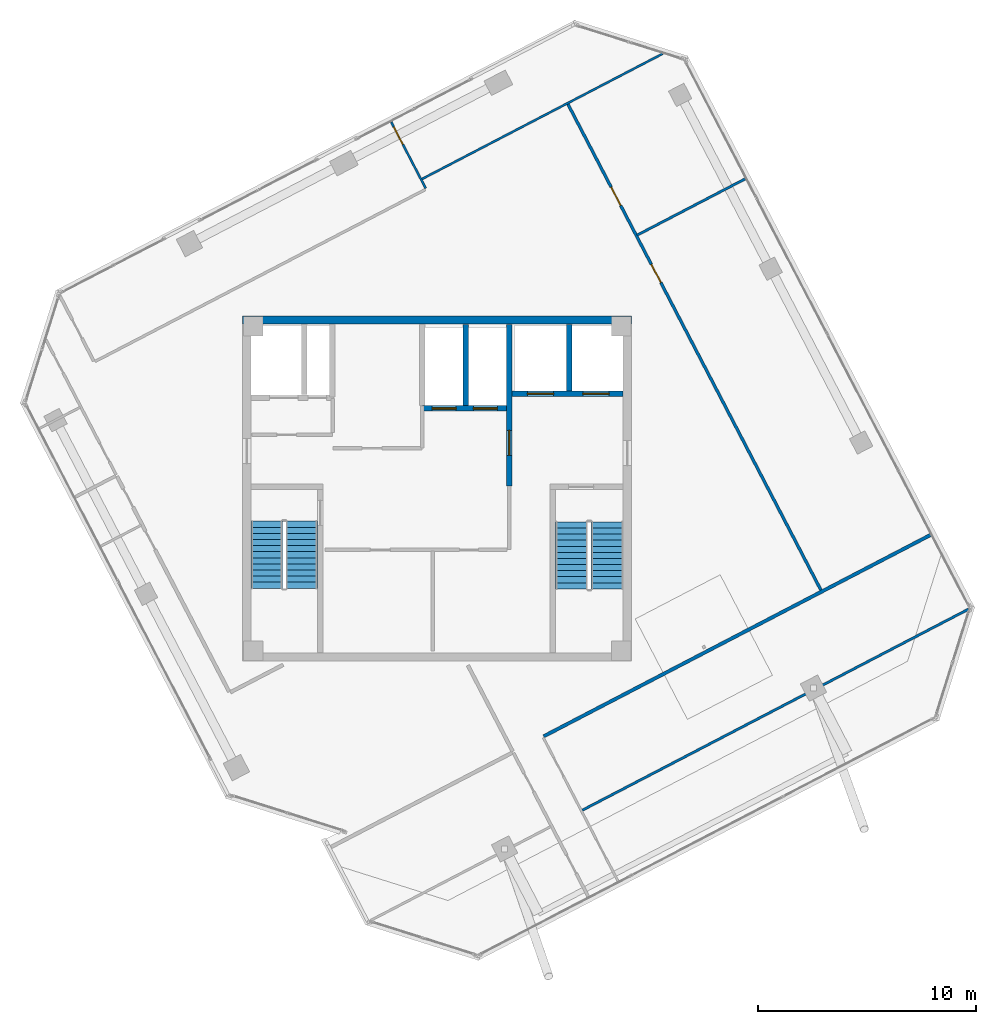
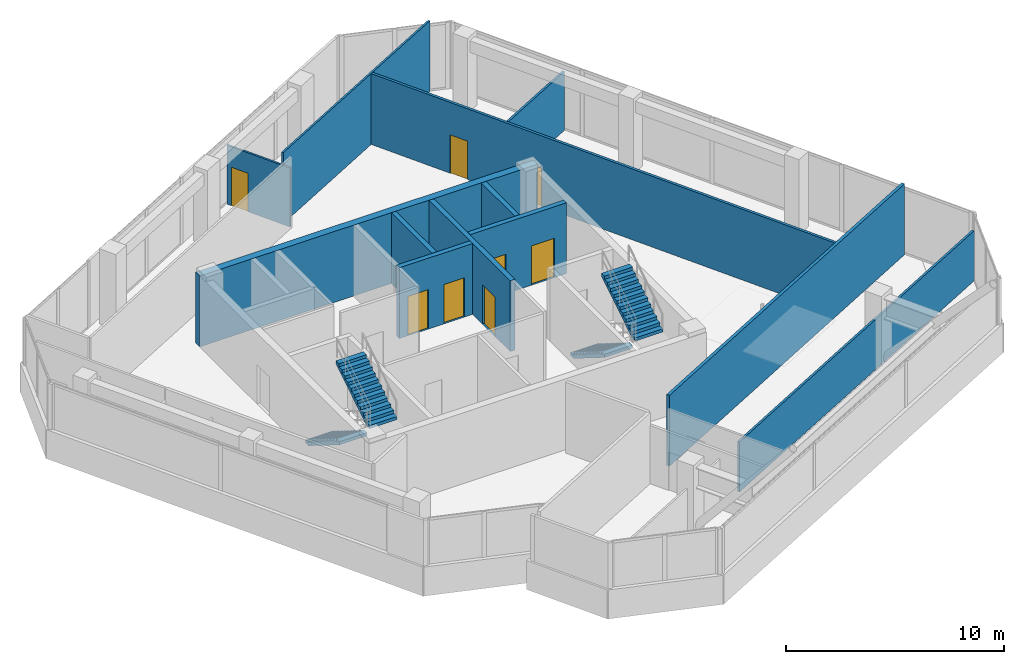
# One storey, part 13 of 17: 12 walls, 8 doors, 4 stair flights, 8 openings, 2 elements without a shape of their own.
"""IFC4 building model written with IfcOpenShell, lengths in metres."""

from ifc_helpers import new_model, si_unit, direction, frame, frame_2d, origin, place, context, subcontext, project, spatial, polyline, rectangle, outline, extrude, source, transform, mapped, material, layer, layer_set, type_object, element, fill, aggregate, save


model = new_model("IFC4")

# Units and contexts
model_context = context("Model", 3, precision=1e-05, world=origin(), true_north=direction((0.0, 1.0)))
body_context = subcontext(model_context, "Body", "Model", "MODEL_VIEW")
ifc_project = project(units=[si_unit("LENGTHUNIT", "METRE"), si_unit("AREAUNIT", "SQUARE_METRE"), si_unit("VOLUMEUNIT", "CUBIC_METRE"), si_unit("PLANEANGLEUNIT", "RADIAN"), si_unit("MASSUNIT", "GRAM", prefix="KILO")], contexts=[model_context])

# Site, building, storey
site_placement = place(None, origin())
site = spatial("IfcSite", under=ifc_project, at=site_placement, CompositionType="ELEMENT")
building_placement = place(site_placement, origin())
building = spatial("IfcBuilding", under=site, at=building_placement, Name="Torre Montelarca", CompositionType="ELEMENT")
storey_placement = place(building_placement, frame((0.0, 0.0, 332.39990234375)))
storey = spatial("IfcBuildingStorey", under=building, at=storey_placement, Name="L75", CompositionType="ELEMENT", Elevation=332.39990234375)

# Wall, opening, door
ifc_material_1 = material(Name="Concrete C40/50", Category="concrete")
ifc_layer_1 = layer(ifc_material_1, 0.25, Name="Concrete C40/50", Category="concrete")
ifc_layer_set_1 = layer_set([ifc_layer_1], Name="Concrete C40/50")
wall_type_1 = type_object("IfcWallType", Name="CW-SHAFT-250", PredefinedType="SHEAR", material=ifc_layer_set_1)
wall_1_placement = place(storey_placement, frame((21.320068359375, 32.1201171875, 0.0), z_axis=(0.0, 0.0, 1.0), x_axis=(0.0, 1.0, 0.0)))
wall_1 = element("IfcWall", 1, at=wall_1_placement, inside=storey, type_object=wall_type_1, Name="L75 Core Shear Wall SH-FFL-W", PredefinedType="SHEAR", context=body_context, shape_type="SweptSolid", body=[
    extrude(rectangle(XDim=7.419921875, YDim=0.25, at=frame_2d((3.7099609375, 0.0))), origin(), (0.0, 0.0, 1.0), 3.960205078125),
])
opening_1_placement = place(wall_1_placement, frame((1.39990234375, 0.0, 0.0)))
opening_1 = element("IfcOpeningElement", 2, at=opening_1_placement, cuts=wall_1, Name="Opening FD-LB1", PredefinedType="OPENING", context=body_context, shape_type="SweptSolid", body=[
    extrude(rectangle(XDim=1.14990234375, YDim=2.199951171875, at=frame_2d((0.574951171875, 1.10009765625))), frame((0.0, 0.135009765625, 0.0), z_axis=(0.0, -1.0, 0.0), x_axis=(1.0, 0.0, 0.0)), (0.0, 0.0, 1.0), 0.27001953125),
])
ifc_material_2 = material(Name="Acoustic timber-veneered fire door", Category="wood")
door_type_1 = type_object("IfcDoorType", Name="DR-LOBBY-115", OperationType="NOTDEFINED", PredefinedType="DOOR", material=ifc_material_2)
shared_shape_1 = source(origin(), body_context, "Body", "SweptSolid", [
    extrude(rectangle(XDim=1.14990234375, YDim=2.199951171875, at=frame_2d((0.574951171875, 1.10009765625))), frame((0.0, 0.02490234375, 0.0), z_axis=(0.0, -1.0, 0.0), x_axis=(1.0, 0.0, 0.0)), (0.0, 0.0, 1.0), 0.050048828125),
])
door_1_placement = place(opening_1_placement, origin())
door_1 = element("IfcDoor", 3, at=door_1_placement, inside=storey, type_object=door_type_1, Name="L75 Lift Lobby to Firefighting Lobby Smoke Door", OperationType="SINGLE_SWING_LEFT", OverallHeight=2.199951171875, OverallWidth=1.14990234375, PredefinedType="DOOR", context=body_context, shape_type="MappedRepresentation", body=[
    mapped(shared_shape_1, transform((0.0, 0.0, 0.0), scale=1.0)),
])
fill(opening_1, door_1)

# Wall, openings, doors
wall_2_placement = place(storey_placement, frame((21.449951171875, 36.35009765625, 0.0), z_axis=(0.0, 0.0, 1.0), x_axis=(1.0, 0.0, 0.0)))
wall_2 = element("IfcWall", 4, at=wall_2_placement, inside=storey, type_object=wall_type_1, Name="L75 Core Shear Wall SH-FF-S", PredefinedType="SHEAR", context=body_context, shape_type="SweptSolid", body=[
    extrude(rectangle(XDim=5.090087890625, YDim=0.25, at=frame_2d((2.544921875, 0.0))), origin(), (0.0, 0.0, 1.0), 3.960205078125),
])
opening_2_placement = place(wall_2_placement, frame((0.699951171875, 0.0, 0.0)))
opening_2 = element("IfcOpeningElement", 5, at=opening_2_placement, cuts=wall_2, Name="Opening LD-120", PredefinedType="OPENING", context=body_context, shape_type="SweptSolid", body=[
    extrude(rectangle(XDim=1.199951171875, YDim=2.199951171875, at=frame_2d((0.60009765625, 1.10009765625))), frame((0.0, 0.135009765625, 0.0), z_axis=(0.0, -1.0, 0.0), x_axis=(1.0, 0.0, 0.0)), (0.0, 0.0, 1.0), 0.27001953125),
])
opening_3_placement = place(wall_2_placement, frame((3.25, 0.0, 0.0)))
opening_3 = element("IfcOpeningElement", 6, at=opening_3_placement, cuts=wall_2, Name="Opening LD-120", PredefinedType="OPENING", context=body_context, shape_type="SweptSolid", body=[
    extrude(rectangle(XDim=1.199951171875, YDim=2.199951171875, at=frame_2d((0.60009765625, 1.10009765625))), frame((0.0, 0.135009765625, 0.0), z_axis=(0.0, -1.0, 0.0), x_axis=(1.0, 0.0, 0.0)), (0.0, 0.0, 1.0), 0.27001953125),
])
ifc_material_3 = material(Name="Brushed stainless steel AISI 316", Category="steel")
door_type_2 = type_object("IfcDoorType", Name="DR-LIFT-120", OperationType="SLIDING_TO_RIGHT", PredefinedType="DOOR", material=ifc_material_3)
shared_shape_2 = source(origin(), body_context, "Body", "SweptSolid", [
    extrude(rectangle(XDim=1.199951171875, YDim=2.199951171875, at=frame_2d((0.60009765625, 1.10009765625))), frame((0.0, 0.02490234375, 0.0), z_axis=(0.0, -1.0, 0.0), x_axis=(1.0, 0.0, 0.0)), (0.0, 0.0, 1.0), 0.050048828125),
])
door_2_placement = place(opening_2_placement, origin())
door_2 = element("IfcDoor", 7, at=door_2_placement, inside=storey, type_object=door_type_2, Name="L75 Lift Landing Sliding Door FF-1", OperationType="SLIDING_TO_LEFT", OverallHeight=2.199951171875, OverallWidth=1.199951171875, PredefinedType="DOOR", context=body_context, shape_type="MappedRepresentation", body=[
    mapped(shared_shape_2, transform((0.0, 0.0, 0.0), scale=1.0)),
])
fill(opening_2, door_2)
door_3_placement = place(opening_3_placement, origin())
door_3 = element("IfcDoor", 8, at=door_3_placement, inside=storey, type_object=door_type_2, Name="L75 Lift Landing Sliding Door FF-2", OperationType="SLIDING_TO_RIGHT", OverallHeight=2.199951171875, OverallWidth=1.199951171875, PredefinedType="DOOR", context=body_context, shape_type="MappedRepresentation", body=[
    mapped(shared_shape_2, transform((0.0, 0.0, 0.0), scale=1.0)),
])
fill(opening_3, door_3)

# Wall
wall_3_placement = place(storey_placement, frame((24.080078125, 36.47998046875, 0.0), z_axis=(0.0, 0.0, 1.0), x_axis=(0.0, 1.0, 0.0)))
element("IfcWall", 9, at=wall_3_placement, inside=storey, type_object=wall_type_1, Name="L75 Core Shear Wall SH-FF-M", PredefinedType="SHEAR", context=body_context, shape_type="SweptSolid", body=[
    extrude(rectangle(XDim=3.06005859375, YDim=0.25, at=frame_2d((1.530029296875, 0.0))), origin(), (0.0, 0.0, 1.0), 3.960205078125),
])

# Wall, openings, doors
wall_4_placement = place(storey_placement, frame((17.320068359375, 35.679931640625, 0.0), z_axis=(0.0, 0.0, 1.0), x_axis=(1.0, 0.0, 0.0)))
wall_4 = element("IfcWall", 10, at=wall_4_placement, inside=storey, type_object=wall_type_1, Name="L75 Core Shear Wall SH-PLH-S", PredefinedType="SHEAR", context=body_context, shape_type="SweptSolid", body=[
    extrude(rectangle(XDim=3.869873046875, YDim=0.25, at=frame_2d((1.93505859375, 0.0))), origin(), (0.0, 0.0, 1.0), 3.960205078125),
])
opening_4_placement = place(wall_4_placement, frame((0.449951171875, 0.0, 0.0)))
opening_4 = element("IfcOpeningElement", 11, at=opening_4_placement, cuts=wall_4, Name="Opening LD-110", PredefinedType="OPENING", context=body_context, shape_type="SweptSolid", body=[
    extrude(rectangle(XDim=1.10009765625, YDim=2.199951171875, at=frame_2d((0.550048828125, 1.10009765625))), frame((0.0, 0.135009765625, 0.0), z_axis=(0.0, -1.0, 0.0), x_axis=(1.0, 0.0, 0.0)), (0.0, 0.0, 1.0), 0.27001953125),
])
opening_5_placement = place(wall_4_placement, frame((2.35009765625, 0.0, 0.0)))
opening_5 = element("IfcOpeningElement", 12, at=opening_5_placement, cuts=wall_4, Name="Opening LD-110", PredefinedType="OPENING", context=body_context, shape_type="SweptSolid", body=[
    extrude(rectangle(XDim=1.10009765625, YDim=2.199951171875, at=frame_2d((0.550048828125, 1.10009765625))), frame((0.0, 0.135009765625, 0.0), z_axis=(0.0, -1.0, 0.0), x_axis=(1.0, 0.0, 0.0)), (0.0, 0.0, 1.0), 0.27001953125),
])
door_type_3 = type_object("IfcDoorType", Name="DR-LIFT-110", OperationType="SLIDING_TO_LEFT", PredefinedType="DOOR", material=ifc_material_3)
shared_shape_3 = source(origin(), body_context, "Body", "SweptSolid", [
    extrude(rectangle(XDim=1.10009765625, YDim=2.199951171875, at=frame_2d((0.550048828125, 1.10009765625))), frame((0.0, 0.02490234375, 0.0), z_axis=(0.0, -1.0, 0.0), x_axis=(1.0, 0.0, 0.0)), (0.0, 0.0, 1.0), 0.050048828125),
])
door_4_placement = place(opening_4_placement, origin())
door_4 = element("IfcDoor", 13, at=door_4_placement, inside=storey, type_object=door_type_3, Name="L75 Lift Landing Sliding Door PL-H1", OperationType="SLIDING_TO_LEFT", OverallHeight=2.199951171875, OverallWidth=1.10009765625, PredefinedType="DOOR", context=body_context, shape_type="MappedRepresentation", body=[
    mapped(shared_shape_3, transform((0.0, 0.0, 0.0), scale=1.0)),
])
fill(opening_4, door_4)
door_5_placement = place(opening_5_placement, origin())
door_5 = element("IfcDoor", 14, at=door_5_placement, inside=storey, type_object=door_type_3, Name="L75 Lift Landing Sliding Door PL-H2", OperationType="SLIDING_TO_RIGHT", OverallHeight=2.199951171875, OverallWidth=1.10009765625, PredefinedType="DOOR", context=body_context, shape_type="MappedRepresentation", body=[
    mapped(shared_shape_3, transform((0.0, 0.0, 0.0), scale=1.0)),
])
fill(opening_5, door_5)

# Walls
wall_5_placement = place(storey_placement, frame((19.320068359375, 35.81005859375, 0.0), z_axis=(0.0, 0.0, 1.0), x_axis=(0.0, 1.0, 0.0)))
element("IfcWall", 15, at=wall_5_placement, inside=storey, type_object=wall_type_1, Name="L75 Core Shear Wall SH-PLH-M", PredefinedType="SHEAR", context=body_context, shape_type="SweptSolid", body=[
    extrude(rectangle(XDim=3.72998046875, YDim=0.25, at=frame_2d((1.864990234375, 0.0))), origin(), (0.0, 0.0, 1.0), 3.960205078125),
])
ifc_layer_2 = layer(ifc_material_1, 0.3798828125, Name="Concrete C40/50", Category="concrete")
ifc_layer_set_2 = layer_set([ifc_layer_2], Name="Concrete C40/50")
wall_type_2 = type_object("IfcWallType", Name="CW-SHEAR-380", PredefinedType="SHEAR", material=ifc_layer_set_2)
wall_6_placement = place(storey_placement, frame((9.070068359375, 39.739990234375, 0.0), z_axis=(0.0, 0.0, 1.0), x_axis=(1.0, 0.0, 0.0)))
element("IfcWall", 16, at=wall_6_placement, inside=storey, type_object=wall_type_2, Name="L75 Core Shear Wall CW-N1", PredefinedType="SHEAR", context=body_context, shape_type="SweptSolid", body=[
    extrude(rectangle(XDim=17.85986328125, YDim=0.3798828125, at=frame_2d((8.929931640625, 0.0))), origin(), (0.0, 0.0, 1.0), 3.960205078125),
])
ifc_material_4 = material(Name="Gypsum plasterboard on steel stud", Category="steel")
ifc_layer_3 = layer(ifc_material_4, 0.159912109375, Name="Gypsum plasterboard on steel stud", Category="steel")
ifc_layer_set_3 = layer_set([ifc_layer_3], Name="Gypsum plasterboard on steel stud")
wall_type_3 = type_object("IfcWallType", Name="PW-FIRE-160", PredefinedType="PARTITIONING", material=ifc_layer_set_3)
wall_7_placement = place(storey_placement, frame((22.893310546875, 20.6171875, 0.0), z_axis=(0.0, 0.0, 1.0), x_axis=(0.887013262899, 0.461743945755, 0.0)))
element("IfcWall", 17, at=wall_7_placement, inside=storey, type_object=wall_type_3, Name="L75 Interior Partition W-L75-ECN", PredefinedType="PARTITIONING", context=body_context, shape_type="SweptSolid", body=[
    extrude(rectangle(XDim=20.0400390625, YDim=0.159912109375, at=frame_2d((10.02001953125, 0.0))), origin(), (0.0, 0.0, 1.0), 3.960205078125),
])

# Wall, opening, door
ifc_material_5 = material(Name="Acoustic laminated glass partition", Category="glass")
ifc_layer_4 = layer(ifc_material_5, 0.10009765625, Name="Acoustic laminated glass partition", Category="glass")
ifc_layer_set_4 = layer_set([ifc_layer_4], Name="Acoustic laminated glass partition")
wall_type_4 = type_object("IfcWallType", Name="PW-GLAZ-100", PredefinedType="PARTITIONING", material=ifc_layer_set_4)
wall_8_placement = place(storey_placement, frame((15.893798828125, 48.833251953125, 0.0), z_axis=(0.0, 0.0, 1.0), x_axis=(0.461760597426, -0.8870045945, 0.0)))
wall_8 = element("IfcWall", 18, at=wall_8_placement, inside=storey, type_object=wall_type_4, Name="L75 Interior Partition W-L75-WPKN", PredefinedType="PARTITIONING", context=body_context, shape_type="SweptSolid", body=[
    extrude(rectangle(XDim=3.4296875, YDim=0.10009765625, at=frame_2d((1.71484375, 0.0))), origin(), (0.0, 0.0, 1.0), 3.295166015625),
])
opening_6_placement = place(wall_8_placement, frame((0.25, 0.0, 0.0)))
opening_6 = element("IfcOpeningElement", 19, at=opening_6_placement, cuts=wall_8, Name="Opening ID-090", PredefinedType="OPENING", context=body_context, shape_type="SweptSolid", body=[
    extrude(rectangle(XDim=0.89990234375, YDim=2.14990234375, at=frame_2d((0.449951171875, 1.074951171875))), frame((0.0, 0.06005859375, 0.0), z_axis=(0.0, -1.0, 0.0), x_axis=(1.0, 0.0, 0.0)), (0.0, 0.0, 1.0), 0.1201171875),
])
ifc_material_6 = material(Name="Hardwood acoustic timber veneer", Category="wood")
door_type_4 = type_object("IfcDoorType", Name="DR-INT-090", OperationType="NOTDEFINED", PredefinedType="DOOR", material=ifc_material_6)
shared_shape_4 = source(origin(), body_context, "Body", "SweptSolid", [
    extrude(rectangle(XDim=0.89990234375, YDim=2.14990234375, at=frame_2d((0.449951171875, 1.074951171875))), frame((0.0, 0.02490234375, 0.0), z_axis=(0.0, -1.0, 0.0), x_axis=(1.0, 0.0, 0.0)), (0.0, 0.0, 1.0), 0.050048828125),
])
door_6_placement = place(opening_6_placement, origin())
door_6 = element("IfcDoor", 20, at=door_6_placement, inside=storey, type_object=door_type_4, Name="L75 Interior Door 12", OperationType="SINGLE_SWING_RIGHT", OverallHeight=2.14990234375, OverallWidth=0.89990234375, PredefinedType="DOOR", context=body_context, shape_type="MappedRepresentation", body=[
    mapped(shared_shape_4, transform((0.0, 0.0, 0.0), scale=1.0)),
])
fill(opening_6, door_6)

# Walls
wall_9_placement = place(storey_placement, frame((17.30078125, 46.21728515625, 0.0), z_axis=(0.0, 0.0, 1.0), x_axis=(0.887006461695, 0.461757010679, 0.0)))
element("IfcWall", 21, at=wall_9_placement, inside=storey, type_object=wall_type_4, Name="L75 Interior Partition W-L75-WPKE2", PredefinedType="PARTITIONING", context=body_context, shape_type="SweptSolid", body=[
    extrude(rectangle(XDim=12.471923828125, YDim=0.10009765625, at=frame_2d((6.23583984375, 0.0))), origin(), (0.0, 0.0, 1.0), 3.960205078125),
])
ifc_layer_5 = layer(ifc_material_4, 0.114990234375, Name="Gypsum plasterboard on steel stud", Category="steel")
ifc_layer_set_5 = layer_set([ifc_layer_5], Name="Gypsum plasterboard on steel stud")
wall_type_5 = type_object("IfcWallType", Name="PW-PART-115", PredefinedType="PARTITIONING", material=ifc_layer_set_5)
wall_10_placement = place(storey_placement, frame((27.187255859375, 43.641357421875, 0.0), z_axis=(0.0, 0.0, 1.0), x_axis=(0.886991844597, 0.461785088129, 0.0)))
element("IfcWall", 22, at=wall_10_placement, inside=storey, type_object=wall_type_5, Name="L75 Interior Partition W-L75-NDIV-1", PredefinedType="PARTITIONING", context=body_context, shape_type="SweptSolid", body=[
    extrude(rectangle(XDim=5.599853515625, YDim=0.114990234375, at=frame_2d((2.7998046875, 0.0))), origin(), (0.0, 0.0, 1.0), 3.295166015625),
])
wall_11_placement = place(storey_placement, frame((24.661865234375, 17.22021484375, 0.0), z_axis=(0.0, 0.0, 1.0), x_axis=(0.887015173056, 0.461740276312, 0.0)))
element("IfcWall", 23, at=wall_11_placement, inside=storey, type_object=wall_type_5, Name="L75 Interior Partition W-L75-NEDIV-1", PredefinedType="PARTITIONING", context=body_context, shape_type="SweptSolid", body=[
    extrude(rectangle(XDim=20.01171875, YDim=0.114990234375, at=frame_2d((10.005859375, 0.0))), origin(), (0.0, 0.0, 1.0), 2.795166015625),
])

# Wall, openings, doors
ifc_layer_6 = layer(ifc_material_4, 0.135009765625, Name="Gypsum plasterboard on steel stud", Category="steel")
ifc_layer_set_6 = layer_set([ifc_layer_6], Name="Gypsum plasterboard on steel stud")
wall_type_6 = type_object("IfcWallType", Name="PW-PART-135", PredefinedType="PARTITIONING", material=ifc_layer_set_6)
wall_12_placement = place(storey_placement, frame((24.007080078125, 49.66357421875, 0.0), z_axis=(0.0, 0.0, 1.0), x_axis=(0.461753963132, -0.887008048178, 0.0)))
wall_12 = element("IfcWall", 24, at=wall_12_placement, inside=storey, type_object=wall_type_6, Name="L75 Interior Partition W-L75-NBOT", PredefinedType="PARTITIONING", context=body_context, shape_type="SweptSolid", body=[
    extrude(rectangle(XDim=25.210205078125, YDim=0.135009765625, at=frame_2d((12.60498046875, 0.0))), origin(), (0.0, 0.0, 1.0), 3.960205078125),
])
opening_7_placement = place(wall_12_placement, frame((4.300048828125, 0.0, 0.0)))
opening_7 = element("IfcOpeningElement", 25, at=opening_7_placement, cuts=wall_12, Name="Opening ID-095", PredefinedType="OPENING", context=body_context, shape_type="SweptSolid", body=[
    extrude(rectangle(XDim=0.949951171875, YDim=2.14990234375, at=frame_2d((0.47509765625, 1.074951171875))), frame((0.0, 0.07763671875, 0.0), z_axis=(0.0, -1.0, 0.0), x_axis=(1.0, 0.0, 0.0)), (0.0, 0.0, 1.0), 0.155029296875),
])
opening_8_placement = place(wall_12_placement, frame((8.300048828125, 0.0, 0.0)))
opening_8 = element("IfcOpeningElement", 26, at=opening_8_placement, cuts=wall_12, Name="Opening ID-095", PredefinedType="OPENING", context=body_context, shape_type="SweptSolid", body=[
    extrude(rectangle(XDim=0.949951171875, YDim=2.14990234375, at=frame_2d((0.47509765625, 1.074951171875))), frame((0.0, 0.07763671875, 0.0), z_axis=(0.0, -1.0, 0.0), x_axis=(1.0, 0.0, 0.0)), (0.0, 0.0, 1.0), 0.155029296875),
])
door_type_5 = type_object("IfcDoorType", Name="DR-INT-095", OperationType="NOTDEFINED", PredefinedType="DOOR", material=ifc_material_6)
shared_shape_5 = source(origin(), body_context, "Body", "SweptSolid", [
    extrude(rectangle(XDim=0.949951171875, YDim=2.14990234375, at=frame_2d((0.47509765625, 1.074951171875))), frame((0.0, 0.02490234375, 0.0), z_axis=(0.0, -1.0, 0.0), x_axis=(1.0, 0.0, 0.0)), (0.0, 0.0, 1.0), 0.050048828125),
])
door_7_placement = place(opening_7_placement, origin())
door_7 = element("IfcDoor", 27, at=door_7_placement, inside=storey, type_object=door_type_5, Name="L75 Interior Door 09", OperationType="SINGLE_SWING_LEFT", OverallHeight=2.14990234375, OverallWidth=0.949951171875, PredefinedType="DOOR", context=body_context, shape_type="MappedRepresentation", body=[
    mapped(shared_shape_5, transform((0.0, 0.0, 0.0), scale=1.0)),
])
fill(opening_7, door_7)
door_8_placement = place(opening_8_placement, origin())
door_8 = element("IfcDoor", 28, at=door_8_placement, inside=storey, type_object=door_type_5, Name="L75 Interior Door 10", OperationType="SINGLE_SWING_RIGHT", OverallHeight=2.14990234375, OverallWidth=0.949951171875, PredefinedType="DOOR", context=body_context, shape_type="MappedRepresentation", body=[
    mapped(shared_shape_5, transform((0.0, 0.0, 0.0), scale=1.0)),
])
fill(opening_8, door_8)

# Stair, stair flights
stair_type_1 = type_object("IfcStairType", Name="ST-CORE-ST1", PredefinedType="HALF_TURN_STAIR", material=ifc_material_1)
stair_1_placement = place(storey_placement, origin())
stair_1 = element("IfcStair", 29, at=stair_1_placement, inside=storey, type_object=stair_type_1, Name="L75 Protected Exit Stair ST1", PredefinedType="HALF_TURN_STAIR")
stair_flight_type_1 = type_object("IfcStairFlightType", Name="SFL-CORE-ST1", PredefinedType="STRAIGHT", material=ifc_material_1)
stair_flight_1_placement = place(storey_placement, frame((10.175048828125, 30.5, 0.0), z_axis=(0.0, 0.0, 1.0), x_axis=(0.0, -1.0, 0.0)))
stair_flight_1 = element("IfcStairFlight", 30, at=stair_flight_1_placement, type_object=stair_flight_type_1, Name="ST1 flight 1", NumberOfRisers=12, NumberOfTreads=11, PredefinedType="STRAIGHT", RiserHeight=0.175, TreadLength=0.28, context=body_context, shape_type="SweptSolid", body=[
    extrude(outline(polyline([(0.0, 0.0), (0.0, 0.175048828125), (0.280029296875, 0.175048828125), (0.280029296875, 0.35009765625), (0.56005859375, 0.35009765625), (0.56005859375, 0.52490234375), (0.840087890625, 0.52490234375), (0.840087890625, 0.699951171875), (1.1201171875, 0.699951171875), (1.1201171875, 0.875), (1.39990234375, 0.875), (1.39990234375, 1.050048828125), (1.679931640625, 1.050048828125), (1.679931640625, 1.22509765625), (1.9599609375, 1.22509765625), (1.9599609375, 1.39990234375), (2.239990234375, 1.39990234375), (2.239990234375, 1.574951171875), (2.52001953125, 1.574951171875), (2.52001953125, 1.75), (2.800048828125, 1.75), (2.800048828125, 1.925048828125), (3.080078125, 1.925048828125), (3.080078125, 2.10009765625), (3.080078125, 1.748291015625), (0.28271484375, 0.0), (0.0, 0.0)])), frame((0.0, 0.72509765625, 0.0), z_axis=(0.0, -1.0, 0.0), x_axis=(1.0, 0.0, 0.0)), (0.0, 0.0, 1.0), 1.449951171875),
])
stair_flight_2_placement = place(storey_placement, frame((11.77490234375, 27.419921875, 2.10009765625), z_axis=(0.0, 0.0, 1.0), x_axis=(0.0, 1.0, 0.0)))
stair_flight_2 = element("IfcStairFlight", 31, at=stair_flight_2_placement, type_object=stair_flight_type_1, Name="ST1 flight 2", NumberOfRisers=12, NumberOfTreads=11, PredefinedType="STRAIGHT", RiserHeight=0.175, TreadLength=0.28, context=body_context, shape_type="SweptSolid", body=[
    extrude(outline(polyline([(0.0, 0.0), (0.0, 0.175048828125), (0.280029296875, 0.175048828125), (0.280029296875, 0.35009765625), (0.56005859375, 0.35009765625), (0.56005859375, 0.52490234375), (0.840087890625, 0.52490234375), (0.840087890625, 0.699951171875), (1.1201171875, 0.699951171875), (1.1201171875, 0.875), (1.39990234375, 0.875), (1.39990234375, 1.050048828125), (1.679931640625, 1.050048828125), (1.679931640625, 1.22509765625), (1.9599609375, 1.22509765625), (1.9599609375, 1.39990234375), (2.239990234375, 1.39990234375), (2.239990234375, 1.574951171875), (2.52001953125, 1.574951171875), (2.52001953125, 1.75), (2.800048828125, 1.75), (2.800048828125, 1.925048828125), (3.080078125, 1.925048828125), (3.080078125, 2.10009765625), (3.080078125, 1.748291015625), (0.28271484375, 0.0), (0.0, 0.0)])), frame((0.0, 0.72509765625, 0.0), z_axis=(0.0, -1.0, 0.0), x_axis=(1.0, 0.0, 0.0)), (0.0, 0.0, 1.0), 1.449951171875),
])
aggregate(stair_1, [stair_flight_1, stair_flight_2])

stair_type_2 = type_object("IfcStairType", Name="ST-CORE-ST2", PredefinedType="HALF_TURN_STAIR", material=ifc_material_1)
stair_2_placement = place(storey_placement, origin())
stair_2 = element("IfcStair", 32, at=stair_2_placement, inside=storey, type_object=stair_type_2, Name="L75 Protected Exit Stair ST2", PredefinedType="HALF_TURN_STAIR")
stair_flight_type_2 = type_object("IfcStairFlightType", Name="SFL-CORE-ST2", PredefinedType="STRAIGHT", material=ifc_material_1)
stair_flight_3_placement = place(storey_placement, frame((24.179931640625, 30.469970703125, 0.0), z_axis=(0.0, 0.0, 1.0), x_axis=(0.0, -1.0, 0.0)))
stair_flight_3 = element("IfcStairFlight", 33, at=stair_flight_3_placement, type_object=stair_flight_type_2, Name="ST2 flight 1", NumberOfRisers=12, NumberOfTreads=11, PredefinedType="STRAIGHT", RiserHeight=0.175, TreadLength=0.28, context=body_context, shape_type="SweptSolid", body=[
    extrude(outline(polyline([(0.0, 0.0), (0.0, 0.175048828125), (0.280029296875, 0.175048828125), (0.280029296875, 0.35009765625), (0.56005859375, 0.35009765625), (0.56005859375, 0.52490234375), (0.840087890625, 0.52490234375), (0.840087890625, 0.699951171875), (1.1201171875, 0.699951171875), (1.1201171875, 0.875), (1.39990234375, 0.875), (1.39990234375, 1.050048828125), (1.679931640625, 1.050048828125), (1.679931640625, 1.22509765625), (1.9599609375, 1.22509765625), (1.9599609375, 1.39990234375), (2.239990234375, 1.39990234375), (2.239990234375, 1.574951171875), (2.52001953125, 1.574951171875), (2.52001953125, 1.75), (2.800048828125, 1.75), (2.800048828125, 1.925048828125), (3.080078125, 1.925048828125), (3.080078125, 2.10009765625), (3.080078125, 1.748291015625), (0.28271484375, 0.0), (0.0, 0.0)])), frame((0.0, 0.739990234375, 0.0), z_axis=(0.0, -1.0, 0.0), x_axis=(1.0, 0.0, 0.0)), (0.0, 0.0, 1.0), 1.47998046875),
])
stair_flight_4_placement = place(storey_placement, frame((25.81005859375, 27.389892578125, 2.10009765625), z_axis=(0.0, 0.0, 1.0), x_axis=(0.0, 1.0, 0.0)))
stair_flight_4 = element("IfcStairFlight", 34, at=stair_flight_4_placement, type_object=stair_flight_type_2, Name="ST2 flight 2", NumberOfRisers=12, NumberOfTreads=11, PredefinedType="STRAIGHT", RiserHeight=0.175, TreadLength=0.28, context=body_context, shape_type="SweptSolid", body=[
    extrude(outline(polyline([(0.0, 0.0), (0.0, 0.175048828125), (0.280029296875, 0.175048828125), (0.280029296875, 0.35009765625), (0.56005859375, 0.35009765625), (0.56005859375, 0.52490234375), (0.840087890625, 0.52490234375), (0.840087890625, 0.699951171875), (1.1201171875, 0.699951171875), (1.1201171875, 0.875), (1.39990234375, 0.875), (1.39990234375, 1.050048828125), (1.679931640625, 1.050048828125), (1.679931640625, 1.22509765625), (1.9599609375, 1.22509765625), (1.9599609375, 1.39990234375), (2.239990234375, 1.39990234375), (2.239990234375, 1.574951171875), (2.52001953125, 1.574951171875), (2.52001953125, 1.75), (2.800048828125, 1.75), (2.800048828125, 1.925048828125), (3.080078125, 1.925048828125), (3.080078125, 2.10009765625), (3.080078125, 1.748291015625), (0.28271484375, 0.0), (0.0, 0.0)])), frame((0.0, 0.739990234375, 0.0), z_axis=(0.0, -1.0, 0.0), x_axis=(1.0, 0.0, 0.0)), (0.0, 0.0, 1.0), 1.47998046875),
])
aggregate(stair_2, [stair_flight_3, stair_flight_4])

save(model, "model.ifc")
